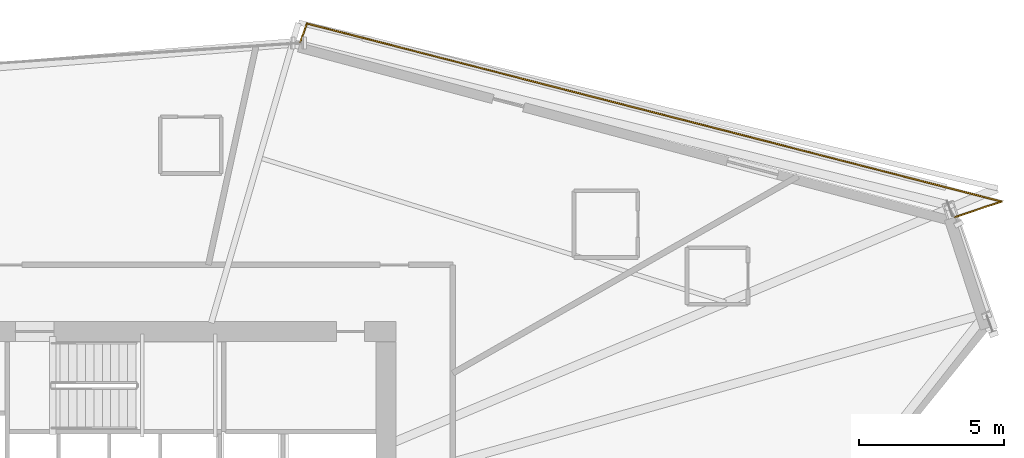
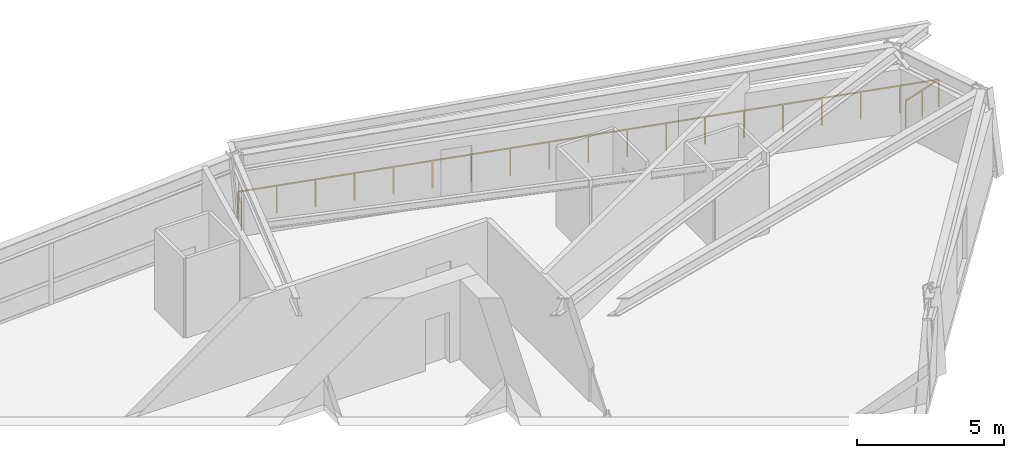
# One storey, part 21 of 21: 1 railing.
"""IFC4 building model written with IfcOpenShell, lengths in metres."""

from ifc_helpers import new_model, si_unit, direction, frame, origin, origin_2d, place, context, subcontext, project, spatial, rectangle, extrude, material, type_object, element, save


model = new_model("IFC4")

# Units and contexts
model_context = context("Model", 3, precision=1e-05, world=origin(), true_north=direction((0.0, 1.0)))
body_context = subcontext(model_context, "Body", "Model", "MODEL_VIEW")
ifc_project = project(units=[si_unit("LENGTHUNIT", "METRE"), si_unit("AREAUNIT", "SQUARE_METRE"), si_unit("VOLUMEUNIT", "CUBIC_METRE"), si_unit("PLANEANGLEUNIT", "RADIAN"), si_unit("MASSUNIT", "GRAM", prefix="KILO")], contexts=[model_context])

# Site, building, storey
site_placement = place(None, origin())
site = spatial("IfcSite", under=ifc_project, at=site_placement, CompositionType="ELEMENT")
building_placement = place(site_placement, origin())
building = spatial("IfcBuilding", under=site, at=building_placement, Name="Olszyna Solenne Hotel", CompositionType="ELEMENT")
storey_placement = place(building_placement, frame((0.0, 0.0, 109.25)))
storey = spatial("IfcBuildingStorey", under=building, at=storey_placement, Name="L28", CompositionType="ELEMENT", Elevation=109.25)

# Railing
ifc_material = material(Name="Anodised bronze aluminium", Category="aluminium")
railing_type = type_object("IfcRailingType", Name="GR-110", PredefinedType="BALUSTRADE", material=ifc_material)
railing_placement = place(storey_placement, frame((65.8515625, 37.99658203125, 0.0)))
element("IfcRailing", 1, at=railing_placement, inside=storey, type_object=railing_type, Name="Loggia balcony balustrade guard GR-L28-LG1", PredefinedType="BALUSTRADE", context=body_context, shape_type="SweptSolid", body=[
    extrude(rectangle(XDim=0.048095703125, YDim=0.048095703125, at=origin_2d()), frame((0.0, 0.0, 1.1259765625), z_axis=(0.94875542206, 0.316011311682, 0.0), x_axis=(-0.316011311682, 0.94875542206, 0.0)), (0.0, 0.0, 1.0), 1.69189453125),
    extrude(rectangle(XDim=0.048095703125, YDim=0.048095703125, at=origin_2d()), frame((1.605224609375, 0.53466796875, 1.1259765625), z_axis=(-0.968701100815, 0.248230089394, 0.0), x_axis=(-0.248230089394, -0.968701100815, 0.0)), (0.0, 0.0, 1.0), 24.70703125),
    extrude(rectangle(XDim=0.048095703125, YDim=0.048095703125, at=origin_2d()), frame((-22.32861328125, 6.667724609375, 1.1259765625), z_axis=(-0.339365342684, -0.940654646608, 0.0), x_axis=(0.940654646608, -0.339365342684, 0.0)), (0.0, 0.0, 1.0), 0.709228515625),
    extrude(rectangle(XDim=0.0419921875, YDim=0.0419921875, at=origin_2d()), origin(), (0.0, 0.0, 1.0), 1.101806640625),
    extrude(rectangle(XDim=0.0419921875, YDim=0.0419921875, at=origin_2d()), frame((0.802734375, 0.267333984375, 0.0)), (0.0, 0.0, 1.0), 1.101806640625),
    extrude(rectangle(XDim=0.0419921875, YDim=0.0419921875, at=origin_2d()), frame((1.605224609375, 0.53466796875, 0.0)), (0.0, 0.0, 1.0), 1.101806640625),
    extrude(rectangle(XDim=0.0419921875, YDim=0.0419921875, at=origin_2d()), frame((0.275634765625, 0.87548828125, 0.0)), (0.0, 0.0, 1.0), 1.101806640625),
    extrude(rectangle(XDim=0.0419921875, YDim=0.0419921875, at=origin_2d()), frame((-1.05419921875, 1.216064453125, 0.0)), (0.0, 0.0, 1.0), 1.101806640625),
    extrude(rectangle(XDim=0.0419921875, YDim=0.0419921875, at=origin_2d()), frame((-2.3837890625, 1.556884765625, 0.0)), (0.0, 0.0, 1.0), 1.101806640625),
    extrude(rectangle(XDim=0.0419921875, YDim=0.0419921875, at=origin_2d()), frame((-3.71337890625, 1.8974609375, 0.0)), (0.0, 0.0, 1.0), 1.101806640625),
    extrude(rectangle(XDim=0.0419921875, YDim=0.0419921875, at=origin_2d()), frame((-5.04296875, 2.23828125, 0.0)), (0.0, 0.0, 1.0), 1.101806640625),
    extrude(rectangle(XDim=0.0419921875, YDim=0.0419921875, at=origin_2d()), frame((-6.372802734375, 2.5791015625, 0.0)), (0.0, 0.0, 1.0), 1.101806640625),
    extrude(rectangle(XDim=0.0419921875, YDim=0.0419921875, at=origin_2d()), frame((-7.702392578125, 2.919677734375, 0.0)), (0.0, 0.0, 1.0), 1.101806640625),
    extrude(rectangle(XDim=0.0419921875, YDim=0.0419921875, at=origin_2d()), frame((-9.031982421875, 3.260498046875, 0.0)), (0.0, 0.0, 1.0), 1.101806640625),
    extrude(rectangle(XDim=0.0419921875, YDim=0.0419921875, at=origin_2d()), frame((-10.36181640625, 3.60107421875, 0.0)), (0.0, 0.0, 1.0), 1.101806640625),
    extrude(rectangle(XDim=0.0419921875, YDim=0.0419921875, at=origin_2d()), frame((-11.69140625, 3.94189453125, 0.0)), (0.0, 0.0, 1.0), 1.101806640625),
    extrude(rectangle(XDim=0.0419921875, YDim=0.0419921875, at=origin_2d()), frame((-13.02099609375, 4.28271484375, 0.0)), (0.0, 0.0, 1.0), 1.101806640625),
    extrude(rectangle(XDim=0.0419921875, YDim=0.0419921875, at=origin_2d()), frame((-14.3505859375, 4.623291015625, 0.0)), (0.0, 0.0, 1.0), 1.101806640625),
    extrude(rectangle(XDim=0.0419921875, YDim=0.0419921875, at=origin_2d()), frame((-15.680419921875, 4.964111328125, 0.0)), (0.0, 0.0, 1.0), 1.101806640625),
    extrude(rectangle(XDim=0.0419921875, YDim=0.0419921875, at=origin_2d()), frame((-17.010009765625, 5.304931640625, 0.0)), (0.0, 0.0, 1.0), 1.101806640625),
    extrude(rectangle(XDim=0.0419921875, YDim=0.0419921875, at=origin_2d()), frame((-18.339599609375, 5.6455078125, 0.0)), (0.0, 0.0, 1.0), 1.101806640625),
    extrude(rectangle(XDim=0.0419921875, YDim=0.0419921875, at=origin_2d()), frame((-19.669189453125, 5.986328125, 0.0)), (0.0, 0.0, 1.0), 1.101806640625),
    extrude(rectangle(XDim=0.0419921875, YDim=0.0419921875, at=origin_2d()), frame((-20.9990234375, 6.326904296875, 0.0)), (0.0, 0.0, 1.0), 1.101806640625),
    extrude(rectangle(XDim=0.0419921875, YDim=0.0419921875, at=origin_2d()), frame((-22.32861328125, 6.667724609375, 0.0)), (0.0, 0.0, 1.0), 1.101806640625),
    extrude(rectangle(XDim=0.0419921875, YDim=0.0419921875, at=origin_2d()), frame((-22.5693359375, 6.00048828125, 0.0)), (0.0, 0.0, 1.0), 1.101806640625),
])

save(model, "model.ifc")
